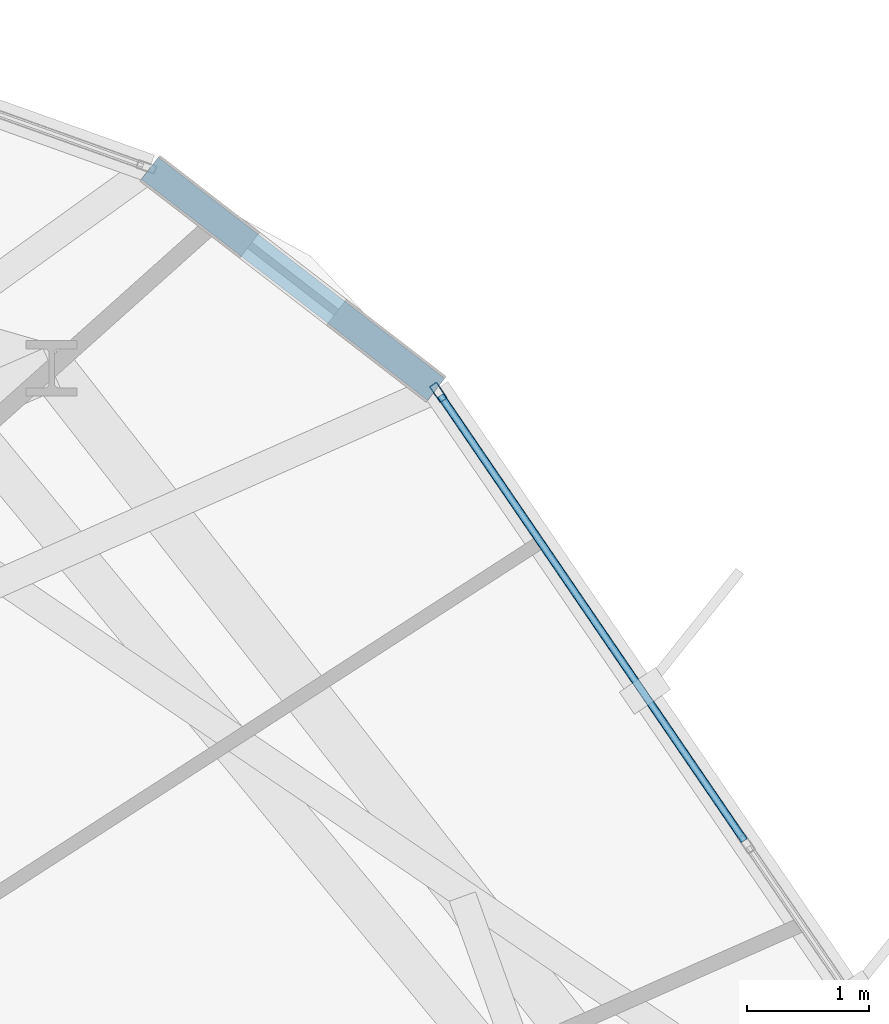
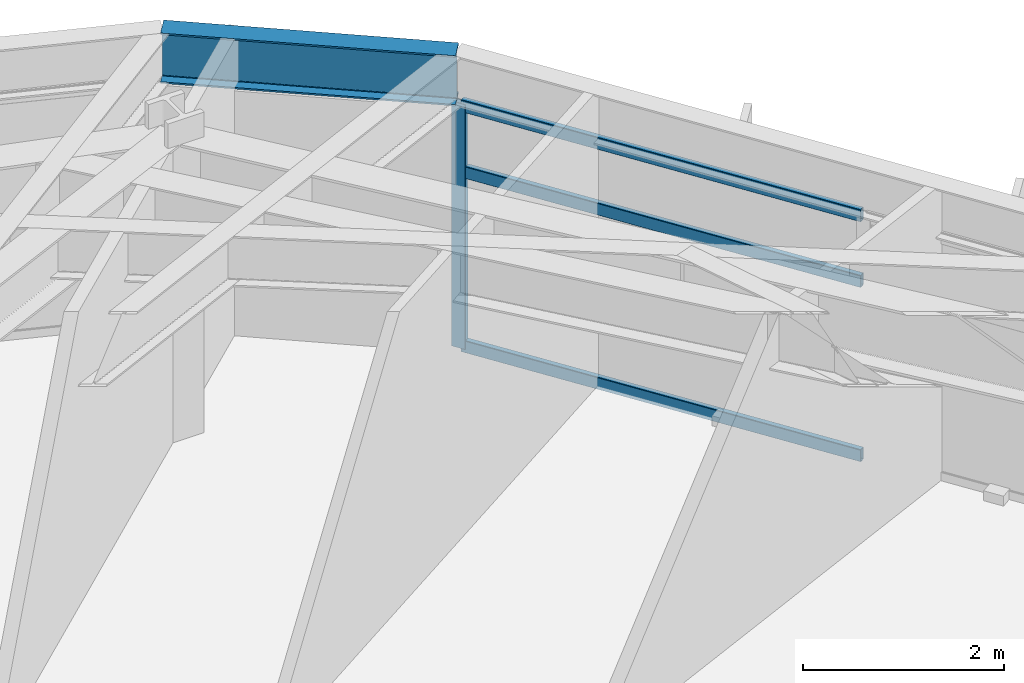
# One storey, part 17 of 24: 4 members, 1 beam, 1 element without a shape of its own.
"""IFC4 building model written with IfcOpenShell, lengths in metres."""

from ifc_helpers import new_model, si_unit, direction, frame, origin, origin_2d, place, context, subcontext, project, spatial, hollow_rectangle, i_section, extrude, material, layer, layer_set, material_profile, profile_set, type_object, element, aggregate, save


model = new_model("IFC4")

# Units and contexts
model_context = context("Model", 3, precision=1e-05, world=origin(), true_north=direction((0.0, 1.0)))
body_context = subcontext(model_context, "Body", "Model", "MODEL_VIEW")
ifc_project = project(units=[si_unit("LENGTHUNIT", "METRE"), si_unit("AREAUNIT", "SQUARE_METRE"), si_unit("VOLUMEUNIT", "CUBIC_METRE"), si_unit("PLANEANGLEUNIT", "RADIAN"), si_unit("MASSUNIT", "GRAM", prefix="KILO")], contexts=[model_context])

# Site, building, storey
site_placement = place(None, origin())
site = spatial("IfcSite", under=ifc_project, at=site_placement, CompositionType="ELEMENT")
building_placement = place(site_placement, origin())
building = spatial("IfcBuilding", under=site, at=building_placement, Name="Soratama Intermodal Tower", CompositionType="ELEMENT")
storey_placement = place(building_placement, frame((0.0, 0.0, 91.300048828125)))
storey = spatial("IfcBuildingStorey", under=building, at=storey_placement, Name="L21", CompositionType="ELEMENT", Elevation=91.300048828125)

# Beam
ifc_material_1 = material(Name="Structural steel ASTM A992 Grade 50", Category="steel")
ifc_material_profile_1 = material_profile(ifc_material_1, i_section(OverallWidth=0.22900390625, OverallDepth=0.612060546875, WebThickness=0.011962890625, FlangeThickness=0.01953125, FilletRadius=0.012939453125, at=origin_2d()), Name="W24X84")
ifc_profile_set_1 = profile_set([ifc_material_profile_1], Name="Structural steel ASTM A992 Grade 50")
beam_type = type_object("IfcBeamType", Name="BM-SPN-W24X84", PredefinedType="SPANDREL", material=ifc_profile_set_1)
beam_placement = place(storey_placement, frame((57.882080078125, 39.2529296875, 3.2939453125), z_axis=(-0.79152746355, 0.611133597871, 0.0), x_axis=(-0.611133597871, -0.79152746355, 0.0)))
element("IfcBeam", 1, at=beam_placement, inside=storey, type_object=beam_type, Name="BS-L21-CRN01", PredefinedType="SPANDREL", context=body_context, shape_type="SweptSolid", body=[
    extrude(i_section(OverallWidth=0.22900390625, OverallDepth=0.612060546875, WebThickness=0.011962890625, FlangeThickness=0.01953125, FilletRadius=0.012939453125, at=origin_2d()), origin(), (0.0, 0.0, 1.0), 2.966552734375),
])

# Curtain wall, members
ifc_material_2 = material(Name="Double-glazed aluminium curtain wall", Category="aluminium")
ifc_layer = layer(ifc_material_2, 0.159912109375)
ifc_layer_set = layer_set([ifc_layer], Name="Double-glazed aluminium curtain wall")
curtain_wall_type = type_object("IfcCurtainWallType", Name="CW-SYS-3", PredefinedType="NOTDEFINED", material=ifc_layer_set)
curtain_wall_placement = place(storey_placement, origin())
curtain_wall = element("IfcCurtainWall", 2, at=curtain_wall_placement, inside=storey, type_object=curtain_wall_type, Name="L21 Faceted Curtain Wall F01", PredefinedType="NOTDEFINED")
ifc_material_3 = material(Name="Anodised aluminium AA 6063-T6", Category="aluminium")
ifc_material_profile_2 = material_profile(ifc_material_3, hollow_rectangle(XDim=0.070068359375, YDim=0.159912109375, WallThickness=0.0048828125, InnerFilletRadius=0.0048828125, OuterFilletRadius=0.010009765625, at=origin_2d()), Name="CWM160X70X5")
ifc_profile_set_2 = profile_set([ifc_material_profile_2], Name="Anodised aluminium AA 6063-T6")
member_type_1 = type_object("IfcMemberType", Name="MT-CWM-3", PredefinedType="MULLION", material=ifc_profile_set_2)
member_1_placement = place(storey_placement, frame((57.899169921875, 39.228271484375, 0.0), z_axis=(0.0, 0.0, 1.0), x_axis=(-0.82590200148, -0.563813696137, 0.0)))
member_1 = element("IfcMember", 3, at=member_1_placement, type_object=member_type_1, Name="CW-3 mullion 3", PredefinedType="MULLION", context=body_context, shape_type="SweptSolid", body=[
    extrude(hollow_rectangle(XDim=0.070068359375, YDim=0.159912109375, WallThickness=0.0048828125, InnerFilletRadius=0.0048828125, OuterFilletRadius=0.010009765625, at=origin_2d()), origin(), (0.0, 0.0, 1.0), 2.97900390625),
])
ifc_material_4 = material(Name="Anodised aluminium AA 6063-T6", Category="aluminium")
ifc_material_profile_3 = material_profile(ifc_material_4, hollow_rectangle(XDim=0.06494140625, YDim=0.14990234375, WallThickness=0.0048828125, InnerFilletRadius=0.0048828125, OuterFilletRadius=0.010009765625, at=origin_2d()), Name="CWT150X65X5")
ifc_profile_set_3 = profile_set([ifc_material_profile_3], Name="Anodised aluminium AA 6063-T6")
member_type_2 = type_object("IfcMemberType", Name="TT-CWT-1", PredefinedType="USERDEFINED", material=ifc_profile_set_3)
member_2_placement = place(storey_placement, frame((60.4072265625, 35.55419921875, 0.030029296875), z_axis=(-0.563821942708, 0.825896371781, 0.0), x_axis=(-0.825896371781, -0.563821942708, 0.0)))
member_2 = element("IfcMember", 4, at=member_2_placement, type_object=member_type_2, Name="CW-3 transom 2.1", ObjectType="TRANSOM", PredefinedType="USERDEFINED", context=body_context, shape_type="SweptSolid", body=[
    extrude(hollow_rectangle(XDim=0.06494140625, YDim=0.14990234375, WallThickness=0.0048828125, InnerFilletRadius=0.0048828125, OuterFilletRadius=0.010009765625, at=origin_2d()), origin(), (0.0, 0.0, 1.0), 4.41845703125),
])
member_3_placement = place(storey_placement, frame((60.4072265625, 35.55419921875, 2.14990234375), z_axis=(-0.563821942708, 0.825896371781, 0.0), x_axis=(-0.825896371781, -0.563821942708, 0.0)))
member_3 = element("IfcMember", 5, at=member_3_placement, type_object=member_type_2, Name="CW-3 transom 2.2", ObjectType="TRANSOM", PredefinedType="USERDEFINED", context=body_context, shape_type="SweptSolid", body=[
    extrude(hollow_rectangle(XDim=0.06494140625, YDim=0.14990234375, WallThickness=0.0048828125, InnerFilletRadius=0.0048828125, OuterFilletRadius=0.010009765625, at=origin_2d()), origin(), (0.0, 0.0, 1.0), 4.41845703125),
])
member_4_placement = place(storey_placement, frame((60.4072265625, 35.55419921875, 2.948974609375), z_axis=(-0.563821942708, 0.825896371781, 0.0), x_axis=(-0.825896371781, -0.563821942708, 0.0)))
member_4 = element("IfcMember", 6, at=member_4_placement, type_object=member_type_2, Name="CW-3 transom 2.3", ObjectType="TRANSOM", PredefinedType="USERDEFINED", context=body_context, shape_type="SweptSolid", body=[
    extrude(hollow_rectangle(XDim=0.06494140625, YDim=0.14990234375, WallThickness=0.0048828125, InnerFilletRadius=0.0048828125, OuterFilletRadius=0.010009765625, at=origin_2d()), origin(), (0.0, 0.0, 1.0), 4.41845703125),
])
aggregate(curtain_wall, [member_1, member_2, member_3, member_4])

save(model, "model.ifc")
